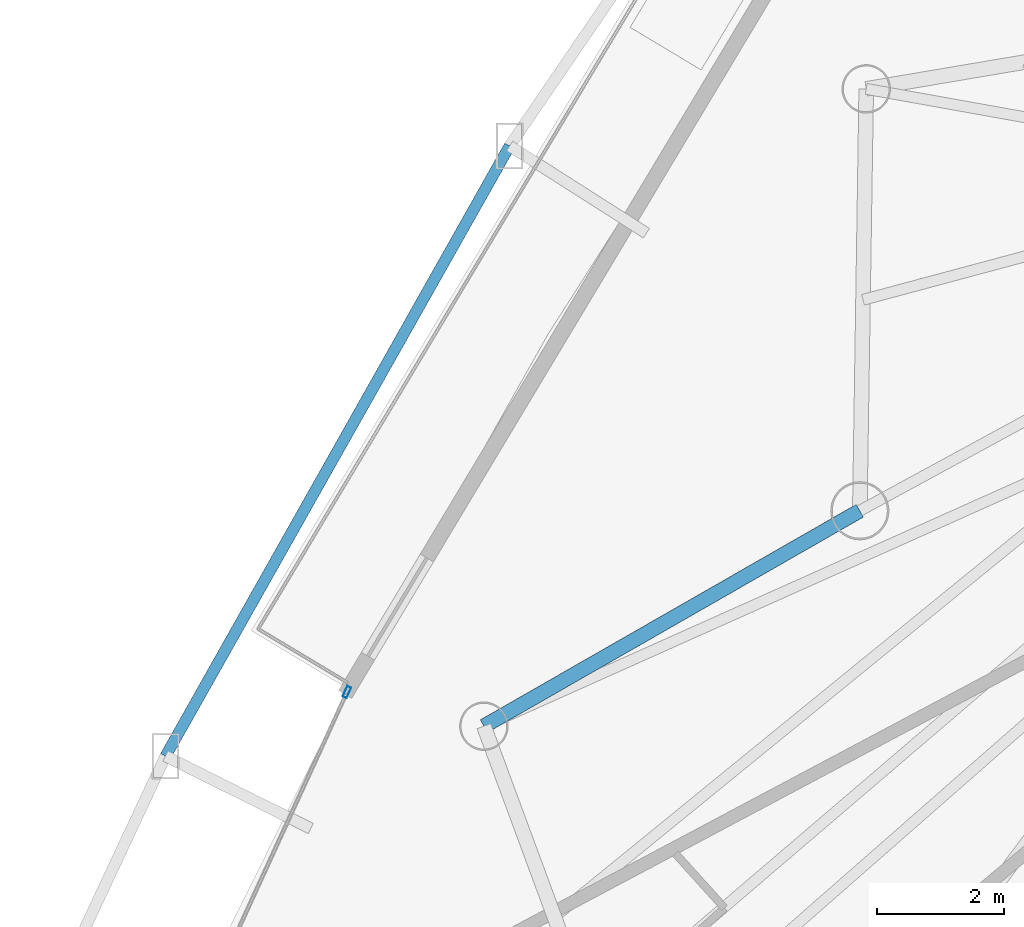
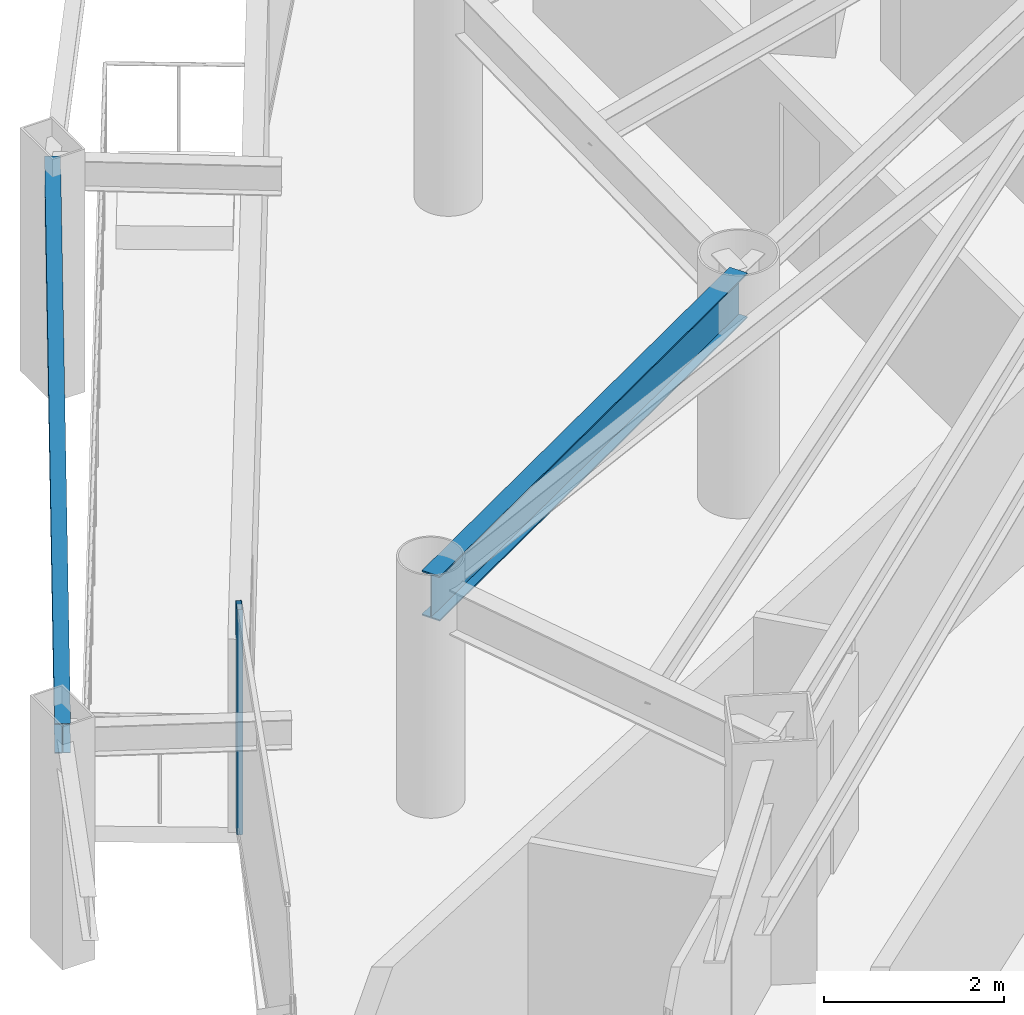
# One storey, part 11 of 38: 2 beams, 1 member, 1 element without a shape of its own.
"""IFC4 building model written with IfcOpenShell, lengths in metres."""

from ifc_helpers import new_model, si_unit, direction, frame, origin, origin_2d, place, context, subcontext, project, spatial, hollow_rectangle, i_section, extrude, material, layer, layer_set, material_profile, profile_set, type_object, element, aggregate, save


model = new_model("IFC4")

# Units and contexts
model_context = context("Model", 3, precision=1e-05, world=origin(), true_north=direction((0.0, 1.0)))
body_context = subcontext(model_context, "Body", "Model", "MODEL_VIEW")
ifc_project = project(units=[si_unit("LENGTHUNIT", "METRE"), si_unit("AREAUNIT", "SQUARE_METRE"), si_unit("VOLUMEUNIT", "CUBIC_METRE"), si_unit("PLANEANGLEUNIT", "RADIAN"), si_unit("MASSUNIT", "GRAM", prefix="KILO")], contexts=[model_context])

# Site, building, storey
site_placement = place(None, origin())
site = spatial("IfcSite", under=ifc_project, at=site_placement, CompositionType="ELEMENT")
building_placement = place(site_placement, origin())
building = spatial("IfcBuilding", under=site, at=building_placement, Name="Orvanel Arch Residences", CompositionType="ELEMENT")
storey_placement = place(building_placement, frame((0.0, 0.0, 43.39990234375)))
storey = spatial("IfcBuildingStorey", under=building, at=storey_placement, Name="L11", CompositionType="ELEMENT", Elevation=43.39990234375)

# Curtain wall, member
ifc_material_1 = material(Name="Bronze-anodised aluminium AA6063-T6", Category="aluminium")
ifc_layer = layer(ifc_material_1, 0.179931640625)
ifc_layer_set = layer_set([ifc_layer], Name="Bronze-anodised aluminium AA6063-T6")
curtain_wall_type = type_object("IfcCurtainWallType", Name="CW2-LOW-SYS", PredefinedType="NOTDEFINED", material=ifc_layer_set)
curtain_wall_placement = place(storey_placement, origin())
curtain_wall = element("IfcCurtainWall", 1, at=curtain_wall_placement, inside=storey, type_object=curtain_wall_type, Name="L11 CW2-LOW-SYS Unitised Curtain Wall", PredefinedType="NOTDEFINED")
ifc_material_profile_1 = material_profile(ifc_material_1, hollow_rectangle(XDim=0.070068359375, YDim=0.179931640625, WallThickness=0.00439453125, at=origin_2d()), Name="ALU180x70x4.5")
ifc_profile_set_1 = profile_set([ifc_material_profile_1], Name="Bronze-anodised aluminium AA6063-T6")
member_type = type_object("IfcMemberType", Name="MUL-180x70", PredefinedType="MULLION", material=ifc_profile_set_1)
member_placement = place(storey_placement, frame((12.509521484375, 24.791259765625, 0.0), z_axis=(0.0, 0.0, 1.0), x_axis=(0.909193369398, -0.416374131092, 0.0)))
member = element("IfcMember", 2, at=member_placement, type_object=member_type, Name="CW-S2 mullion 1", PredefinedType="MULLION", context=body_context, shape_type="SweptSolid", body=[
    extrude(hollow_rectangle(XDim=0.070068359375, YDim=0.179931640625, WallThickness=0.00439453125, at=origin_2d()), origin(), (0.0, 0.0, 1.0), 3.06005859375),
])
aggregate(curtain_wall, [member])

# Beams
ifc_material_2 = material(Name="Structural steel AS/NZS 3679.1 Grade 300 (300 MPa)", Category="steel")
ifc_material_profile_2 = material_profile(ifc_material_2, i_section(OverallWidth=0.177978515625, OverallDepth=0.406005859375, WebThickness=0.0078125, FlangeThickness=0.0126953125, at=origin_2d()), Name="410UB59.7")
ifc_profile_set_2 = profile_set([ifc_material_profile_2], Name="Structural steel AS/NZS 3679.1 Grade 300 (300 MPa)")
beam_type_1 = type_object("IfcBeamType", Name="OB-410UB-EXT", PredefinedType="SPANDREL", material=ifc_profile_set_2)
beam_1_placement = place(storey_placement, frame((15.06591796875, 33.3740234375, 2.857177734375), z_axis=(-0.491165449777, -0.871066301119, 0.0), x_axis=(0.871066301119, -0.491165449777, 0.0)))
element("IfcBeam", 3, at=beam_1_placement, inside=storey, type_object=beam_type_1, Name="L11 Outer Perimeter Floor Ring Beam 02", PredefinedType="SPANDREL", context=body_context, shape_type="SweptSolid", body=[
    extrude(i_section(OverallWidth=0.177978515625, OverallDepth=0.406005859375, WebThickness=0.0078125, FlangeThickness=0.0126953125, at=origin_2d()), origin(), (0.0, 0.0, 1.0), 11.008544921875),
])
ifc_material_profile_3 = material_profile(ifc_material_2, i_section(OverallWidth=0.22900390625, OverallDepth=0.612060546875, WebThickness=0.011962890625, FlangeThickness=0.01953125, at=origin_2d()), Name="610UB125")
ifc_profile_set_3 = profile_set([ifc_material_profile_3], Name="Structural steel AS/NZS 3679.1 Grade 300 (300 MPa)")
beam_type_2 = type_object("IfcBeamType", Name="SP-610UB", PredefinedType="SPANDREL", material=ifc_profile_set_3)
beam_2_placement = place(storey_placement, frame((20.569091796875, 27.64111328125, 2.754150390625), z_axis=(-0.867635629025, -0.497200578485, 0.0), x_axis=(0.497200578485, -0.867635629025, 0.0)))
element("IfcBeam", 4, at=beam_2_placement, inside=storey, type_object=beam_type_2, Name="L11 Perimeter Spandrel Beam 21", PredefinedType="SPANDREL", context=body_context, shape_type="SweptSolid", body=[
    extrude(i_section(OverallWidth=0.22900390625, OverallDepth=0.612060546875, WebThickness=0.011962890625, FlangeThickness=0.01953125, at=origin_2d()), origin(), (0.0, 0.0, 1.0), 6.80810546875),
])

save(model, "model.ifc")
